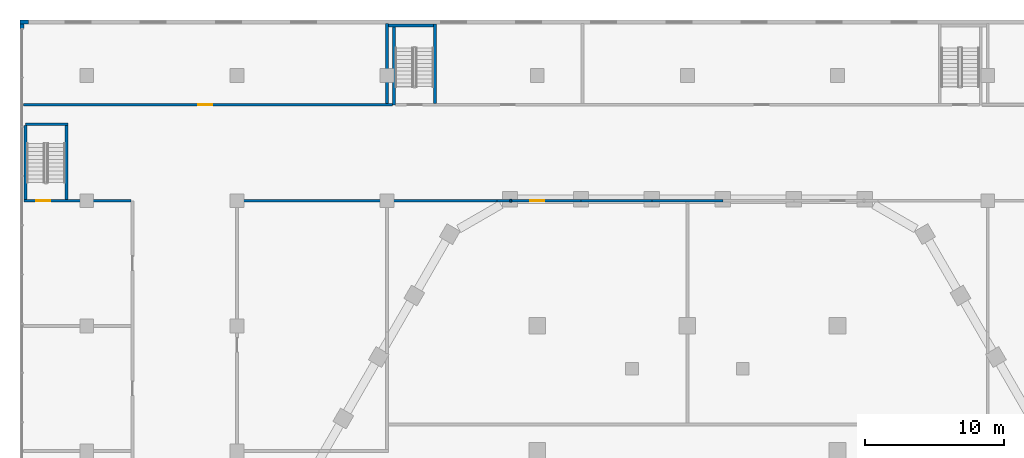
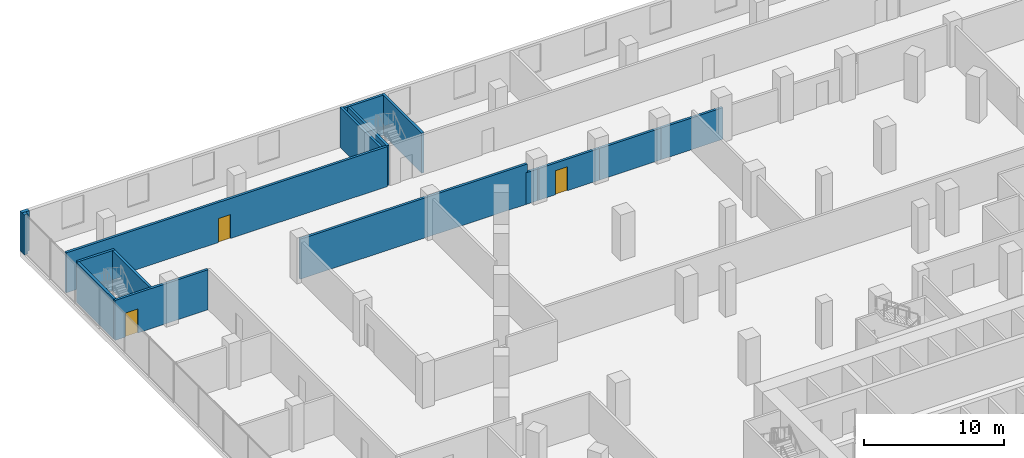
# One storey, part 18 of 45: 17 walls, 3 doors, 3 openings.
"""IFC4 building model written with IfcOpenShell, lengths in metres."""

from ifc_helpers import new_model, si_unit, direction, frame, frame_2d, origin, place, context, subcontext, project, spatial, rectangle, extrude, material, layer, layer_set, type_object, element, fill, save


model = new_model("IFC4")

# Units and contexts
model_context = context("Model", 3, precision=1e-05, world=origin(), true_north=direction((0.0, 1.0)))
body_context = subcontext(model_context, "Body", "Model", "MODEL_VIEW")
ifc_project = project(units=[si_unit("LENGTHUNIT", "METRE"), si_unit("AREAUNIT", "SQUARE_METRE"), si_unit("VOLUMEUNIT", "CUBIC_METRE"), si_unit("PLANEANGLEUNIT", "RADIAN"), si_unit("MASSUNIT", "GRAM", prefix="KILO")], contexts=[model_context])

# Site, building, storey
site_placement = place(None, origin())
site = spatial("IfcSite", under=ifc_project, at=site_placement, CompositionType="ELEMENT")
building_placement = place(site_placement, origin())
building = spatial("IfcBuilding", under=site, at=building_placement, Name="Beryl Residences", CompositionType="ELEMENT")
storey_placement = place(building_placement, frame((0.0, 0.0, 5.0)))
storey = spatial("IfcBuildingStorey", under=building, at=storey_placement, Name="L01", CompositionType="ELEMENT", Elevation=5.0)

# Walls
ifc_material_1 = material(Name="Composite metal panel with mineral wool insulation")
ifc_layer_1 = layer(ifc_material_1, 0.300048828125)
ifc_layer_set_1 = layer_set([ifc_layer_1], Name="ES1 pale metal composite panel wall 300 mm")
wall_type_1 = type_object("IfcWallType", Name="ES1 pale metal composite panel wall 300 mm", PredefinedType="SOLIDWALL", material=ifc_layer_set_1)
wall_1_placement = place(storey_placement, frame((-47.39990234375, 39.85009765625, 0.0), z_axis=(0.0, 0.0, 1.0), x_axis=(-1.0, 0.0, 0.0)))
element("IfcWall", 1, at=wall_1_placement, inside=storey, type_object=wall_type_1, Name="ES1 external wall L01 N 3", PredefinedType="SOLIDWALL", context=body_context, shape_type="SweptSolid", body=[
    extrude(rectangle(XDim=0.60009765625, YDim=0.300048828125, at=frame_2d((0.300048828125, 0.0))), origin(), (0.0, 0.0, 1.0), 3.5),
])
wall_2_placement = place(storey_placement, frame((-47.85009765625, 39.699951171875, 0.0), z_axis=(0.0, 0.0, 1.0), x_axis=(0.0, -1.0, 0.0)))
element("IfcWall", 2, at=wall_2_placement, inside=storey, type_object=wall_type_1, Name="ES1 external wall L01 W 1", PredefinedType="SOLIDWALL", context=body_context, shape_type="SweptSolid", body=[
    extrude(rectangle(XDim=0.300048828125, YDim=0.300048828125, at=frame_2d((0.14990234375, 0.0))), origin(), (0.0, 0.0, 1.0), 3.5),
])
ifc_material_2 = material(Name="Double stud gypsum board wall")
ifc_layer_2 = layer(ifc_material_2, 0.199951171875)
ifc_layer_set_2 = layer_set([ifc_layer_2], Name="PT10 tenancy wall 200 mm")
wall_type_2 = type_object("IfcWallType", Name="PT10 tenancy wall 200 mm", PredefinedType="PARTITIONING", material=ifc_layer_set_2)
wall_3_placement = place(storey_placement, frame((-32.39990234375, 27.0, 0.0), z_axis=(0.0, 0.0, 1.0), x_axis=(1.0, 0.0, 0.0)))
element("IfcWall", 3, at=wall_3_placement, inside=storey, type_object=wall_type_2, Name="Wall PT10 L01 018", PredefinedType="PARTITIONING", context=body_context, shape_type="SweptSolid", body=[
    extrude(rectangle(XDim=18.79296875, YDim=0.199951171875, at=frame_2d((9.396484375, 0.0))), origin(), (0.0, 0.0, 1.0), 3.5),
])
wall_4_placement = place(storey_placement, frame((-13.70703125, 27.0, 0.0), z_axis=(0.0, 0.0, 1.0), x_axis=(1.0, 0.0, 0.0)))
element("IfcWall", 4, at=wall_4_placement, inside=storey, type_object=wall_type_2, Name="Wall PT10 L01 019", PredefinedType="PARTITIONING", context=body_context, shape_type="SweptSolid", body=[
    extrude(rectangle(XDim=0.946044921875, YDim=0.199951171875, at=frame_2d((0.47314453125, 0.0))), origin(), (0.0, 0.0, 1.0), 2.77001953125),
])
wall_5_placement = place(storey_placement, frame((-12.760986328125, 27.0, 0.0), z_axis=(0.0, 0.0, 1.0), x_axis=(1.0, 0.0, 0.0)))
element("IfcWall", 5, at=wall_5_placement, inside=storey, type_object=wall_type_2, Name="Wall PT10 L01 020", PredefinedType="PARTITIONING", context=body_context, shape_type="SweptSolid", body=[
    extrude(rectangle(XDim=0.115966796875, YDim=0.199951171875, at=frame_2d((0.05810546875, 0.0))), origin(), (0.0, 0.0, 1.0), 2.77001953125),
])

# Wall, opening, door
wall_6_placement = place(storey_placement, frame((-12.64501953125, 27.0, 0.0), z_axis=(0.0, 0.0, 1.0), x_axis=(1.0, 0.0, 0.0)))
wall_6 = element("IfcWall", 6, at=wall_6_placement, inside=storey, type_object=wall_type_2, Name="Wall PT10 L01 021", PredefinedType="PARTITIONING", context=body_context, shape_type="SweptSolid", body=[
    extrude(rectangle(XDim=4.988037109375, YDim=0.199951171875, at=frame_2d((2.494140625, 0.0))), origin(), (0.0, 0.0, 1.0), 2.77001953125),
])
opening_1_placement = place(wall_6_placement, frame((2.344970703125, 0.0, 0.0), z_axis=(0.0, 0.0, 1.0), x_axis=(-1.0, 0.0, 0.0)))
opening_1 = element("IfcOpeningElement", 7, at=opening_1_placement, cuts=wall_6, Name="Opening L01-16", PredefinedType="OPENING", context=body_context, shape_type="SweptSolid", body=[
    extrude(rectangle(XDim=1.0, YDim=2.10009765625, at=frame_2d((0.5, 1.050048828125))), frame((0.0, 0.10986328125, 0.0), z_axis=(0.0, -1.0, 0.0), x_axis=(1.0, 0.0, 0.0)), (0.0, 0.0, 1.0), 0.219970703125),
])
ifc_material_3 = material(Name="Timber door leaf", Category="wood")
door_type_1 = type_object("IfcDoorType", Name="D9 corridor door 1000 x 2100 mm", OperationType="SINGLE_SWING_LEFT", PredefinedType="DOOR", material=ifc_material_3)
door_1_placement = place(opening_1_placement, origin())
door_1 = element("IfcDoor", 8, at=door_1_placement, inside=storey, type_object=door_type_1, Name="Door L01-16 L01 001", OperationType="SINGLE_SWING_LEFT", OverallHeight=2.10009765625, OverallWidth=1.0, PredefinedType="DOOR", context=body_context, shape_type="SweptSolid", body=[
    extrude(rectangle(XDim=1.0, YDim=2.10009765625, at=frame_2d((0.5, 1.050048828125))), frame((0.0, 0.02490234375, 0.0), z_axis=(0.0, -1.0, 0.0), x_axis=(1.0, 0.0, 0.0)), (0.0, 0.0, 1.0), 0.050048828125),
])
fill(opening_1, door_1)

# Walls
for number, where, z_axis, x_axis, name in (
    (9, (-7.656982421875, 27.0, 0.0), (0.0, 0.0, 1.0), (1.0, 0.0, 0.0), "Wall PT10 L01 022"),
    (10, (-2.552978515625, 27.0, 0.0), (0.0, 0.0, 1.0), (1.0, 0.0, 0.0), "Wall PT10 L01 023"),
):
    element("IfcWall", number, at=place(storey_placement, frame(where, z_axis=z_axis, x_axis=x_axis)), inside=storey, type_object=wall_type_2, Name=name, PredefinedType="PARTITIONING", context=body_context, shape_type="SweptSolid", body=[
        extrude(rectangle(XDim=5.10400390625, YDim=0.199951171875, at=frame_2d((2.552001953125, 0.0))), origin(), (0.0, 0.0, 1.0), 2.77001953125),
    ])

# Wall, opening, door
wall_7_placement = place(storey_placement, frame((-47.75, 33.89990234375, 0.0), z_axis=(0.0, 0.0, 1.0), x_axis=(1.0, 0.0, 0.0)))
wall_7 = element("IfcWall", 11, at=wall_7_placement, inside=storey, type_object=wall_type_2, Name="Wall PT10 L01 029", PredefinedType="PARTITIONING", context=body_context, shape_type="SweptSolid", body=[
    extrude(rectangle(XDim=26.550048828125, YDim=0.199951171875, at=frame_2d((13.27490234375, 0.0))), origin(), (0.0, 0.0, 1.0), 3.5),
])
opening_2_placement = place(wall_7_placement, frame((12.5810546875, 0.0, 0.0)))
opening_2 = element("IfcOpeningElement", 12, at=opening_2_placement, cuts=wall_7, Name="Opening L01-07", PredefinedType="OPENING", context=body_context, shape_type="SweptSolid", body=[
    extrude(rectangle(XDim=1.0, YDim=2.10009765625, at=frame_2d((0.5, 1.050048828125))), frame((0.0, 0.10986328125, 0.0), z_axis=(0.0, -1.0, 0.0), x_axis=(1.0, 0.0, 0.0)), (0.0, 0.0, 1.0), 0.219970703125),
])
door_2_placement = place(opening_2_placement, origin())
door_2 = element("IfcDoor", 13, at=door_2_placement, inside=storey, type_object=door_type_1, Name="Door L01-07 L01 001", OperationType="SINGLE_SWING_LEFT", OverallHeight=2.10009765625, OverallWidth=1.0, PredefinedType="DOOR", context=body_context, shape_type="SweptSolid", body=[
    extrude(rectangle(XDim=1.0, YDim=2.10009765625, at=frame_2d((0.5, 1.050048828125))), frame((0.0, 0.02490234375, 0.0), z_axis=(0.0, -1.0, 0.0), x_axis=(1.0, 0.0, 0.0)), (0.0, 0.0, 1.0), 0.050048828125),
])
fill(opening_2, door_2)

# Wall
wall_8_placement = place(storey_placement, frame((-21.60009765625, 34.0, 0.0), z_axis=(0.0, 0.0, 1.0), x_axis=(0.0, 1.0, 0.0)))
element("IfcWall", 14, at=wall_8_placement, inside=storey, type_object=wall_type_2, Name="Wall PT10 L01 041", PredefinedType="PARTITIONING", context=body_context, shape_type="SweptSolid", body=[
    extrude(rectangle(XDim=5.75, YDim=0.199951171875, at=frame_2d((2.875, 0.0))), origin(), (0.0, 0.0, 1.0), 3.5),
])

# Wall, opening, door
ifc_material_4 = material(Name="Concrete C40/50", Category="concrete")
ifc_layer_3 = layer(ifc_material_4, 0.199951171875)
ifc_layer_set_3 = layer_set([ifc_layer_3], Name="PT5 stair enclosure wall 200 mm reinforced concrete C40/50")
wall_type_3 = type_object("IfcWallType", Name="PT5 stair enclosure wall 200 mm reinforced concrete C40/50", PredefinedType="SOLIDWALL", material=ifc_layer_set_3)
wall_9_placement = place(storey_placement, frame((-47.699951171875, 27.0, 0.0), z_axis=(0.0, 0.0, 1.0), x_axis=(1.0, 0.0, 0.0)))
wall_9 = element("IfcWall", 15, at=wall_9_placement, inside=storey, type_object=wall_type_3, Name="Wall PT5 L01 009", PredefinedType="SOLIDWALL", context=body_context, shape_type="SweptSolid", body=[
    extrude(rectangle(XDim=7.699951171875, YDim=0.199951171875, at=frame_2d((3.85009765625, 0.0))), origin(), (0.0, 0.0, 1.0), 3.5),
])
opening_3_placement = place(wall_9_placement, frame((0.875, 0.0, 0.0)))
opening_3 = element("IfcOpeningElement", 16, at=opening_3_placement, cuts=wall_9, Name="Opening L01-30", PredefinedType="OPENING", context=body_context, shape_type="SweptSolid", body=[
    extrude(rectangle(XDim=1.0, YDim=2.10009765625, at=frame_2d((0.5, 1.050048828125))), frame((0.0, 0.10986328125, 0.0), z_axis=(0.0, -1.0, 0.0), x_axis=(1.0, 0.0, 0.0)), (0.0, 0.0, 1.0), 0.219970703125),
])
ifc_material_5 = material(Name="Steel door leaf in steel frame", Category="steel")
door_type_2 = type_object("IfcDoorType", Name="D15 stair door 1000 x 2100 mm", OperationType="SINGLE_SWING_LEFT", PredefinedType="DOOR", material=ifc_material_5)
door_3_placement = place(opening_3_placement, origin())
door_3 = element("IfcDoor", 17, at=door_3_placement, inside=storey, type_object=door_type_2, Name="Door L01-30 L01 001", OperationType="SINGLE_SWING_RIGHT", OverallHeight=2.10009765625, OverallWidth=1.0, PredefinedType="DOOR", context=body_context, shape_type="SweptSolid", body=[
    extrude(rectangle(XDim=1.0, YDim=2.10009765625, at=frame_2d((0.5, 1.050048828125))), frame((0.0, 0.02490234375, 0.0), z_axis=(0.0, -1.0, 0.0), x_axis=(1.0, 0.0, 0.0)), (0.0, 0.0, 1.0), 0.050048828125),
])
fill(opening_3, door_3)

# Walls
wall_10_placement = place(storey_placement, frame((-47.60009765625, 32.5, 0.0), z_axis=(0.0, 0.0, 1.0), x_axis=(1.0, 0.0, 0.0)))
element("IfcWall", 18, at=wall_10_placement, inside=storey, type_object=wall_type_3, Name="Wall PT5 L01 010", PredefinedType="SOLIDWALL", context=body_context, shape_type="SweptSolid", body=[
    extrude(rectangle(XDim=3.050048828125, YDim=0.199951171875, at=frame_2d((1.52490234375, 0.0))), origin(), (0.0, 0.0, 1.0), 3.5),
])
wall_11_placement = place(storey_placement, frame((-44.64990234375, 27.10009765625, 0.0), z_axis=(0.0, 0.0, 1.0), x_axis=(0.0, 1.0, 0.0)))
element("IfcWall", 19, at=wall_11_placement, inside=storey, type_object=wall_type_3, Name="Wall PT5 L01 012", PredefinedType="SOLIDWALL", context=body_context, shape_type="SweptSolid", body=[
    extrude(rectangle(XDim=5.2998046875, YDim=0.199951171875, at=frame_2d((2.64990234375, 0.0))), origin(), (0.0, 0.0, 1.0), 3.5),
])
wall_12_placement = place(storey_placement, frame((-21.10009765625, 33.89990234375, 0.0), z_axis=(0.0, 0.0, 1.0), x_axis=(0.0, 1.0, 0.0)))
element("IfcWall", 20, at=wall_12_placement, inside=storey, type_object=wall_type_3, Name="Wall PT5 L01 017", PredefinedType="SOLIDWALL", context=body_context, shape_type="SweptSolid", body=[
    extrude(rectangle(XDim=5.800048828125, YDim=0.199951171875, at=frame_2d((2.89990234375, 0.0))), origin(), (0.0, 0.0, 1.0), 3.5),
])
wall_13_placement = place(storey_placement, frame((-18.14990234375, 34.0, 0.0), z_axis=(0.0, 0.0, 1.0), x_axis=(0.0, 1.0, 0.0)))
element("IfcWall", 21, at=wall_13_placement, inside=storey, type_object=wall_type_3, Name="Wall PT5 L01 018", PredefinedType="SOLIDWALL", context=body_context, shape_type="SweptSolid", body=[
    extrude(rectangle(XDim=5.699951171875, YDim=0.199951171875, at=frame_2d((2.85009765625, 0.0))), origin(), (0.0, 0.0, 1.0), 3.5),
])
wall_14_placement = place(storey_placement, frame((-21.5, 39.60009765625, 0.0), z_axis=(0.0, 0.0, 1.0), x_axis=(1.0, 0.0, 0.0)))
element("IfcWall", 22, at=wall_14_placement, inside=storey, type_object=wall_type_3, Name="Wall PT5 L01 022", PredefinedType="SOLIDWALL", context=body_context, shape_type="SweptSolid", body=[
    extrude(rectangle(XDim=3.25, YDim=0.199951171875, at=frame_2d((1.625, 0.0))), origin(), (0.0, 0.0, 1.0), 3.5),
])
wall_15_placement = place(storey_placement, frame((-47.60009765625, 27.10009765625, 0.0), z_axis=(0.0, 0.0, 1.0), x_axis=(0.0, 1.0, 0.0)))
element("IfcWall", 23, at=wall_15_placement, inside=storey, type_object=wall_type_3, Name="Wall PT5 L01 024", PredefinedType="SOLIDWALL", context=body_context, shape_type="SweptSolid", body=[
    extrude(rectangle(XDim=5.2998046875, YDim=0.199951171875, at=frame_2d((2.64990234375, 0.0))), origin(), (0.0, 0.0, 1.0), 3.5),
])

save(model, "model.ifc")
